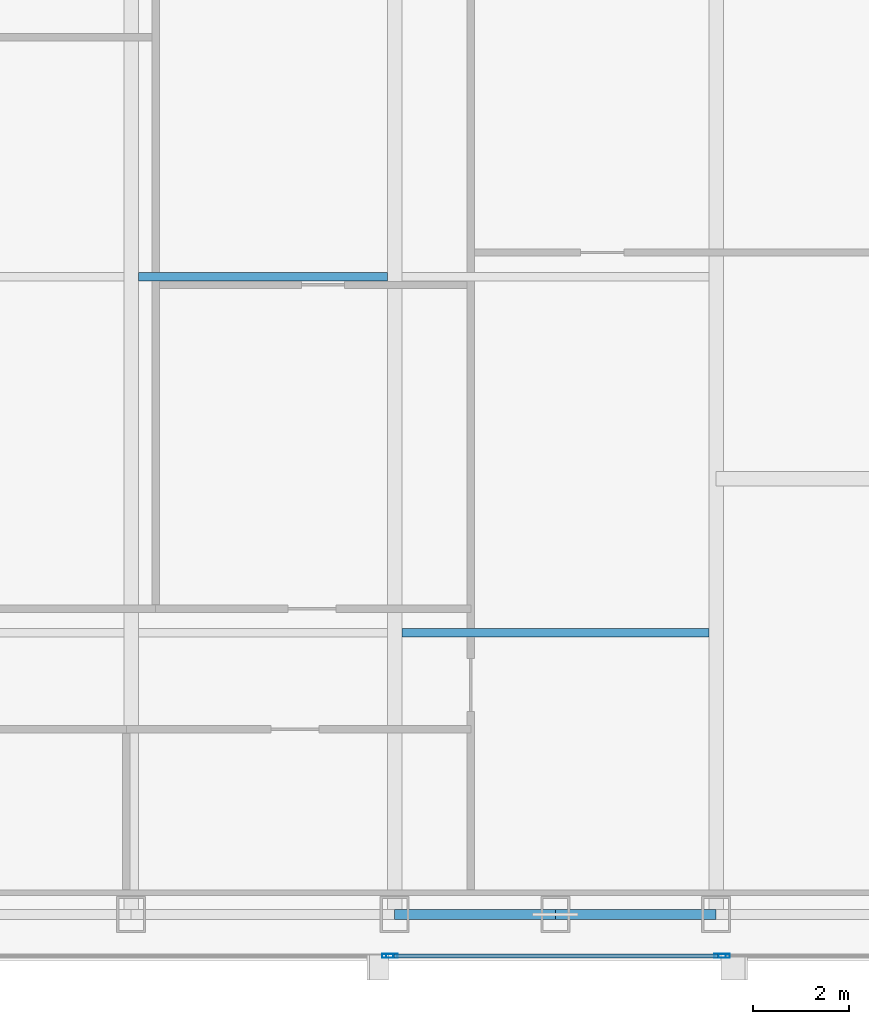
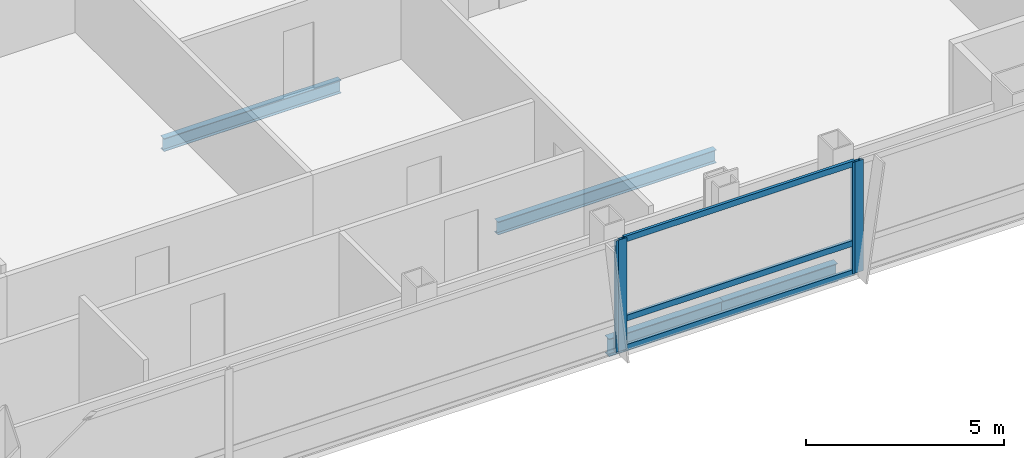
# One storey, part 14 of 30: 7 members, 4 beams, 3 elements without a shape of their own.
"""IFC4 building model written with IfcOpenShell, lengths in metres."""

from ifc_helpers import new_model, si_unit, direction, frame, origin, origin_2d, place, context, subcontext, project, spatial, hollow_rectangle, i_section, extrude, material, material_profile, profile_set, type_object, element, aggregate, save


model = new_model("IFC4")

# Units and contexts
model_context = context("Model", 3, precision=1e-05, world=origin(), true_north=direction((0.0, 1.0)))
body_context = subcontext(model_context, "Body", "Model", "MODEL_VIEW")
ifc_project = project(units=[si_unit("LENGTHUNIT", "METRE"), si_unit("AREAUNIT", "SQUARE_METRE"), si_unit("VOLUMEUNIT", "CUBIC_METRE"), si_unit("PLANEANGLEUNIT", "RADIAN"), si_unit("MASSUNIT", "GRAM", prefix="KILO")], contexts=[model_context])

# Site, building, storey
site_placement = place(None, origin())
site = spatial("IfcSite", under=ifc_project, at=site_placement, CompositionType="ELEMENT")
building_placement = place(site_placement, origin())
building = spatial("IfcBuilding", under=site, at=building_placement, Name="Khoronbel Lancet Exchange", CompositionType="ELEMENT")
storey_placement = place(building_placement, frame((0.0, 0.0, 269.800048828125)))
storey = spatial("IfcBuildingStorey", under=building, at=storey_placement, Name="L69", CompositionType="ELEMENT", Elevation=269.800048828125)

# Beams
ifc_material_1 = material(Name="Steel S355", Category="steel")
ifc_material_profile_1 = material_profile(ifc_material_1, i_section(OverallWidth=0.179931640625, OverallDepth=0.39990234375, WebThickness=0.008544921875, FlangeThickness=0.013427734375, at=origin_2d()), Name="IPE 400")
ifc_profile_set_1 = profile_set([ifc_material_profile_1], Name="Steel S355")
beam_type_1 = type_object("IfcBeamType", Name="BM-BJ5", PredefinedType="JOIST", material=ifc_profile_set_1)
beam_1_placement = place(storey_placement, frame((48.14990234375, 16.0, -0.360107421875), z_axis=(1.0, 0.0, 0.0), x_axis=(0.0, 1.0, 0.0)))
element("IfcBeam", 1, at=beam_1_placement, inside=storey, type_object=beam_type_1, Name="Level L69 secondary composite joist J05", PredefinedType="JOIST", context=body_context, shape_type="SweptSolid", body=[
    extrude(i_section(OverallWidth=0.179931640625, OverallDepth=0.39990234375, WebThickness=0.008544921875, FlangeThickness=0.013427734375, at=origin_2d()), origin(), (0.0, 0.0, 1.0), 6.375),
])
beam_2_placement = place(storey_placement, frame((42.675048828125, 23.39990234375, -0.360107421875), z_axis=(1.0, 0.0, 0.0), x_axis=(0.0, 1.0, 0.0)))
element("IfcBeam", 2, at=beam_2_placement, inside=storey, type_object=beam_type_1, Name="Level L69 secondary composite joist J09", PredefinedType="JOIST", context=body_context, shape_type="SweptSolid", body=[
    extrude(i_section(OverallWidth=0.179931640625, OverallDepth=0.39990234375, WebThickness=0.008544921875, FlangeThickness=0.013427734375, at=origin_2d()), origin(), (0.0, 0.0, 1.0), 5.175048828125),
])
ifc_material_profile_2 = material_profile(ifc_material_1, i_section(OverallWidth=0.2099609375, OverallDepth=0.550048828125, WebThickness=0.010986328125, FlangeThickness=0.01708984375, at=origin_2d()), Name="IPE 550")
ifc_profile_set_2 = profile_set([ifc_material_profile_2], Name="Steel S355")
beam_type_2 = type_object("IfcBeamType", Name="BM-BSP3", PredefinedType="SPANDREL", material=ifc_profile_set_2)
beam_3_placement = place(storey_placement, frame((48.0, 10.14990234375, -0.43505859375), z_axis=(1.0, 0.0, 0.0), x_axis=(0.0, 1.0, 0.0)))
element("IfcBeam", 3, at=beam_3_placement, inside=storey, type_object=beam_type_2, Name="Level L69 perimeter spandrel beam SP07", PredefinedType="SPANDREL", context=body_context, shape_type="SweptSolid", body=[
    extrude(i_section(OverallWidth=0.2099609375, OverallDepth=0.550048828125, WebThickness=0.010986328125, FlangeThickness=0.01708984375, at=origin_2d()), origin(), (0.0, 0.0, 1.0), 3.33740234375),
])
beam_4_placement = place(storey_placement, frame((51.33740234375, 10.14990234375, -0.43505859375), z_axis=(1.0, 0.0, 0.0), x_axis=(0.0, 1.0, 0.0)))
element("IfcBeam", 4, at=beam_4_placement, inside=storey, type_object=beam_type_2, Name="Level L69 perimeter spandrel beam SP08", PredefinedType="SPANDREL", context=body_context, shape_type="SweptSolid", body=[
    extrude(i_section(OverallWidth=0.2099609375, OverallDepth=0.550048828125, WebThickness=0.010986328125, FlangeThickness=0.01708984375, at=origin_2d()), origin(), (0.0, 0.0, 1.0), 3.337646484375),
])

# Curtain wall, member
ifc_material_2 = material(Name="Low-E Solar Control Insulating Glass", Category="glass")
curtain_wall_type = type_object("IfcCurtainWallType", Name="CW-3", PredefinedType="NOTDEFINED", material=ifc_material_2)
curtain_wall_1_placement = place(storey_placement, origin())
curtain_wall_1 = element("IfcCurtainWall", 5, at=curtain_wall_1_placement, inside=storey, type_object=curtain_wall_type, Name="Unitised curtain wall CW-L69-SCV", PredefinedType="NOTDEFINED")
ifc_material_3 = material(Name="Bronze-Anodised Aluminium 6063-T6", Category="aluminium")
ifc_material_profile_3 = material_profile(ifc_material_3, hollow_rectangle(XDim=0.0849609375, YDim=0.239990234375, WallThickness=0.006103515625, at=origin_2d()), Name="ALU MULLION 85x240")
ifc_profile_set_3 = profile_set([ifc_material_profile_3], Name="Bronze-Anodised Aluminium 6063-T6")
member_type_1 = type_object("IfcMemberType", Name="MEM-CWM1", PredefinedType="MULLION", material=ifc_profile_set_3)
member_1_placement = place(storey_placement, frame((47.857421875, 9.2900390625, 0.0), z_axis=(0.0, 0.0, 1.0), x_axis=(0.0, 1.0, 0.0)))
member_1 = element("IfcMember", 6, at=member_1_placement, type_object=member_type_1, Name="CW3 mullion 3", PredefinedType="MULLION", context=body_context, shape_type="SweptSolid", body=[
    extrude(hollow_rectangle(XDim=0.0849609375, YDim=0.239990234375, WallThickness=0.006103515625, at=origin_2d()), origin(), (0.0, 0.0, 1.0), 3.43994140625),
])
aggregate(curtain_wall_1, [member_1])

# Curtain wall, members
curtain_wall_2_placement = place(storey_placement, origin())
curtain_wall_2 = element("IfcCurtainWall", 7, at=curtain_wall_2_placement, inside=storey, type_object=curtain_wall_type, Name="Unitised curtain wall CW-L69-SEB", PredefinedType="NOTDEFINED")
member_2_placement = place(storey_placement, frame((47.9423828125, 9.2900390625, 0.0), z_axis=(0.0, 0.0, 1.0), x_axis=(0.0, 1.0, 0.0)))
member_2 = element("IfcMember", 8, at=member_2_placement, type_object=member_type_1, Name="CW3 mullion 1", PredefinedType="MULLION", context=body_context, shape_type="SweptSolid", body=[
    extrude(hollow_rectangle(XDim=0.0849609375, YDim=0.239990234375, WallThickness=0.006103515625, at=origin_2d()), origin(), (0.0, 0.0, 1.0), 3.43994140625),
])
member_3_placement = place(storey_placement, frame((54.757568359375, 9.2900390625, 0.0), z_axis=(0.0, 0.0, 1.0), x_axis=(0.0, 1.0, 0.0)))
member_3 = element("IfcMember", 9, at=member_3_placement, type_object=member_type_1, Name="CW3 mullion 2", PredefinedType="MULLION", context=body_context, shape_type="SweptSolid", body=[
    extrude(hollow_rectangle(XDim=0.0849609375, YDim=0.239990234375, WallThickness=0.006103515625, at=origin_2d()), origin(), (0.0, 0.0, 1.0), 3.43994140625),
])

# Curtain wall, member
curtain_wall_3_placement = place(storey_placement, origin())
curtain_wall_3 = element("IfcCurtainWall", 10, at=curtain_wall_3_placement, inside=storey, type_object=curtain_wall_type, Name="Unitised curtain wall CW-L69-SEV", PredefinedType="NOTDEFINED")
member_4_placement = place(storey_placement, frame((54.842529296875, 9.2900390625, 0.0), z_axis=(0.0, 0.0, 1.0), x_axis=(0.0, 1.0, 0.0)))
member_4 = element("IfcMember", 11, at=member_4_placement, type_object=member_type_1, Name="CW3 mullion 1", PredefinedType="MULLION", context=body_context, shape_type="SweptSolid", body=[
    extrude(hollow_rectangle(XDim=0.0849609375, YDim=0.239990234375, WallThickness=0.006103515625, at=origin_2d()), origin(), (0.0, 0.0, 1.0), 3.43994140625),
])
aggregate(curtain_wall_3, [member_4])

# Member
ifc_material_profile_4 = material_profile(ifc_material_3, hollow_rectangle(XDim=0.0849609375, YDim=0.179931640625, WallThickness=0.0048828125, at=origin_2d()), Name="ALU TRANSOM 85x180")
ifc_profile_set_4 = profile_set([ifc_material_profile_4], Name="Bronze-Anodised Aluminium 6063-T6")
member_type_2 = type_object("IfcMemberType", Name="MEM-CWT1", PredefinedType="USERDEFINED", material=ifc_profile_set_4)
member_5_placement = place(storey_placement, frame((47.985107421875, 9.2900390625, 0.04248046875), z_axis=(1.0, 0.0, 0.0), x_axis=(0.0, 1.0, 0.0)))
member_5 = element("IfcMember", 12, at=member_5_placement, type_object=member_type_2, Name="CW3 transom 1.1", ObjectType="TRANSOM", PredefinedType="USERDEFINED", context=body_context, shape_type="SweptSolid", body=[
    extrude(hollow_rectangle(XDim=0.0849609375, YDim=0.179931640625, WallThickness=0.0048828125, at=origin_2d()), origin(), (0.0, 0.0, 1.0), 6.72998046875),
])

member_6_placement = place(storey_placement, frame((47.985107421875, 9.2900390625, 0.949951171875), z_axis=(1.0, 0.0, 0.0), x_axis=(0.0, 1.0, 0.0)))
member_6 = element("IfcMember", 13, at=member_6_placement, type_object=member_type_2, Name="CW3 transom 1.2", ObjectType="TRANSOM", PredefinedType="USERDEFINED", context=body_context, shape_type="SweptSolid", body=[
    extrude(hollow_rectangle(XDim=0.0849609375, YDim=0.179931640625, WallThickness=0.0048828125, at=origin_2d()), origin(), (0.0, 0.0, 1.0), 6.72998046875),
])

member_7_placement = place(storey_placement, frame((47.985107421875, 9.2900390625, 3.3974609375), z_axis=(1.0, 0.0, 0.0), x_axis=(0.0, 1.0, 0.0)))
member_7 = element("IfcMember", 14, at=member_7_placement, type_object=member_type_2, Name="CW3 transom 1.3", ObjectType="TRANSOM", PredefinedType="USERDEFINED", context=body_context, shape_type="SweptSolid", body=[
    extrude(hollow_rectangle(XDim=0.0849609375, YDim=0.179931640625, WallThickness=0.0048828125, at=origin_2d()), origin(), (0.0, 0.0, 1.0), 6.72998046875),
])

aggregate(curtain_wall_2, [member_2, member_3, member_5, member_6, member_7])

save(model, "model.ifc")
